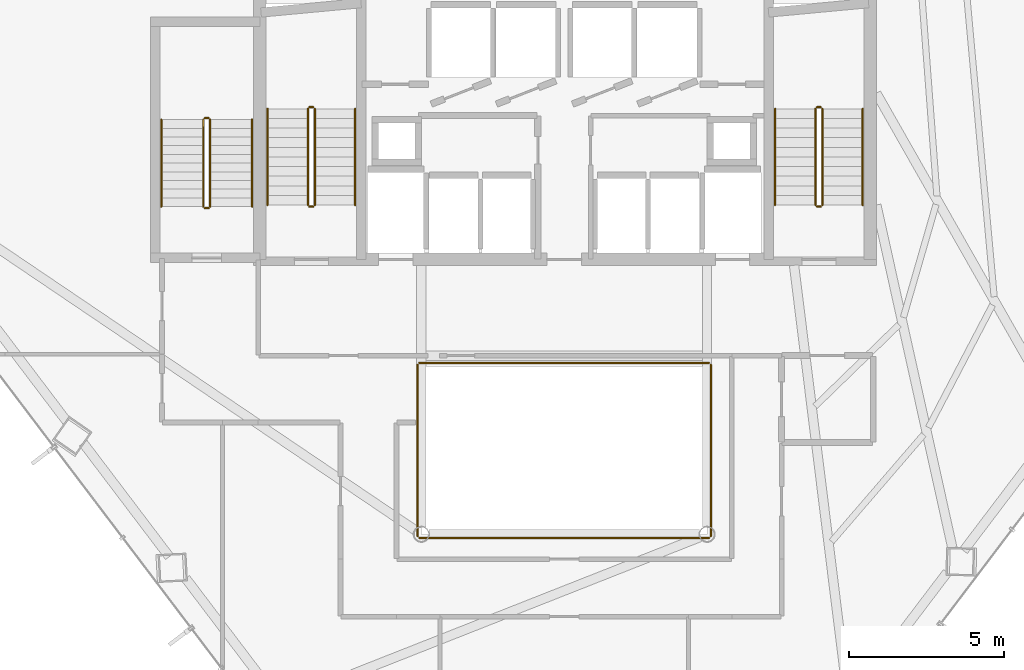
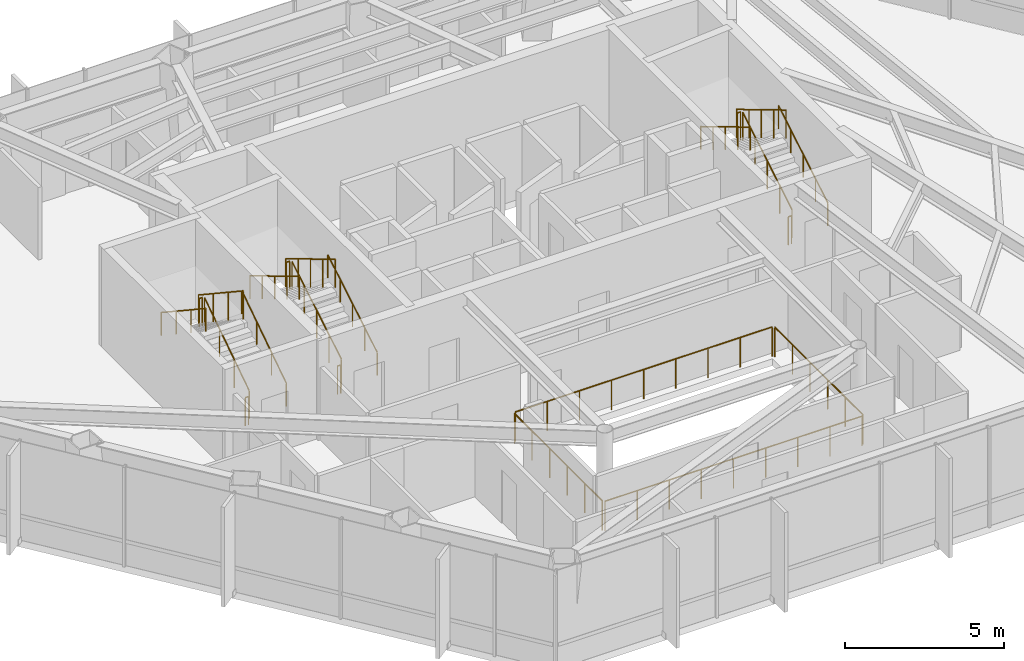
# One storey, part 26 of 26: 22 railings.
"""IFC4 building model written with IfcOpenShell, lengths in metres."""

from ifc_helpers import new_model, si_unit, direction, frame, origin, origin_2d, place, context, subcontext, project, spatial, circle, extrude, material, type_object, element, save


model = new_model("IFC4")

# Units and contexts
model_context = context("Model", 3, precision=1e-05, world=origin(), true_north=direction((0.0, 1.0)))
body_context = subcontext(model_context, "Body", "Model", "MODEL_VIEW")
ifc_project = project(units=[si_unit("LENGTHUNIT", "METRE"), si_unit("AREAUNIT", "SQUARE_METRE"), si_unit("VOLUMEUNIT", "CUBIC_METRE"), si_unit("PLANEANGLEUNIT", "RADIAN"), si_unit("MASSUNIT", "GRAM", prefix="KILO")], contexts=[model_context])

# Site, building, storey
site_placement = place(None, origin())
site = spatial("IfcSite", under=ifc_project, at=site_placement, CompositionType="ELEMENT")
building_placement = place(site_placement, origin())
building = spatial("IfcBuilding", under=site, at=building_placement, Name="Zarrinselat Tower", CompositionType="ELEMENT")
storey_placement = place(building_placement, frame((0.0, 0.0, 92.820068359375)))
storey = spatial("IfcBuildingStorey", under=building, at=storey_placement, Name="L22", CompositionType="ELEMENT", Elevation=92.820068359375)

# Railings
ifc_material_1 = material(Name="Double Low-E Laminated Solar Glass", Category="glass")
railing_type_1 = type_object("IfcRailingType", Name="RLG-ATRIUM-BAL", PredefinedType="BALUSTRADE", material=ifc_material_1)
railing_1_placement = place(storey_placement, frame((33.739990234375, 24.280029296875, 0.0)))
element("IfcRailing", 1, at=railing_1_placement, inside=storey, type_object=railing_type_1, Name="L22 Atrium Void Glass Balustrade S", PredefinedType="BALUSTRADE", context=body_context, shape_type="SweptSolid", body=[
    extrude(circle(Radius=0.02392578125, at=origin_2d()), frame((0.0, 0.0, 1.1259765625), z_axis=(1.0, 0.0, 0.0), x_axis=(0.0, 1.0, 0.0)), (0.0, 0.0, 1.0), 9.320068359375),
    extrude(circle(Radius=0.02099609375, at=origin_2d()), origin(), (0.0, 0.0, 1.0), 1.099853515625),
    extrude(circle(Radius=0.02099609375, at=origin_2d()), frame((1.1650390625, 0.0, 0.0)), (0.0, 0.0, 1.0), 1.099853515625),
    extrude(circle(Radius=0.02099609375, at=origin_2d()), frame((2.330078125, 0.0, 0.0)), (0.0, 0.0, 1.0), 1.099853515625),
    extrude(circle(Radius=0.02099609375, at=origin_2d()), frame((3.4951171875, 0.0, 0.0)), (0.0, 0.0, 1.0), 1.099853515625),
    extrude(circle(Radius=0.02099609375, at=origin_2d()), frame((4.66015625, 0.0, 0.0)), (0.0, 0.0, 1.0), 1.099853515625),
    extrude(circle(Radius=0.02099609375, at=origin_2d()), frame((5.824951171875, 0.0, 0.0)), (0.0, 0.0, 1.0), 1.099853515625),
    extrude(circle(Radius=0.02099609375, at=origin_2d()), frame((6.989990234375, 0.0, 0.0)), (0.0, 0.0, 1.0), 1.099853515625),
    extrude(circle(Radius=0.02099609375, at=origin_2d()), frame((8.155029296875, 0.0, 0.0)), (0.0, 0.0, 1.0), 1.099853515625),
    extrude(circle(Radius=0.02099609375, at=origin_2d()), frame((9.320068359375, 0.0, 0.0)), (0.0, 0.0, 1.0), 1.099853515625),
])
railing_2_placement = place(storey_placement, frame((43.1201171875, 24.340087890625, 0.0)))
element("IfcRailing", 2, at=railing_2_placement, inside=storey, type_object=railing_type_1, Name="L22 Atrium Void Glass Balustrade E", PredefinedType="BALUSTRADE", context=body_context, shape_type="SweptSolid", body=[
    extrude(circle(Radius=0.02392578125, at=origin_2d()), frame((0.0, 0.0, 1.1259765625), z_axis=(0.0, 1.0, 0.0), x_axis=(-1.0, 0.0, 0.0)), (0.0, 0.0, 1.0), 5.52001953125),
    extrude(circle(Radius=0.02099609375, at=origin_2d()), origin(), (0.0, 0.0, 1.0), 1.099853515625),
    extrude(circle(Radius=0.02099609375, at=origin_2d()), frame((0.0, 1.10400390625, 0.0)), (0.0, 0.0, 1.0), 1.099853515625),
    extrude(circle(Radius=0.02099609375, at=origin_2d()), frame((0.0, 2.2080078125, 0.0)), (0.0, 0.0, 1.0), 1.099853515625),
    extrude(circle(Radius=0.02099609375, at=origin_2d()), frame((0.0, 3.31201171875, 0.0)), (0.0, 0.0, 1.0), 1.099853515625),
    extrude(circle(Radius=0.02099609375, at=origin_2d()), frame((0.0, 4.416015625, 0.0)), (0.0, 0.0, 1.0), 1.099853515625),
    extrude(circle(Radius=0.02099609375, at=origin_2d()), frame((0.0, 5.52001953125, 0.0)), (0.0, 0.0, 1.0), 1.099853515625),
])
railing_3_placement = place(storey_placement, frame((43.06005859375, 29.919921875, 0.0)))
element("IfcRailing", 3, at=railing_3_placement, inside=storey, type_object=railing_type_1, Name="L22 Atrium Void Glass Balustrade N", PredefinedType="BALUSTRADE", context=body_context, shape_type="SweptSolid", body=[
    extrude(circle(Radius=0.02392578125, at=origin_2d()), frame((0.0, 0.0, 1.1259765625), z_axis=(-1.0, 0.0, 0.0), x_axis=(0.0, -1.0, 0.0)), (0.0, 0.0, 1.0), 9.320068359375),
    extrude(circle(Radius=0.02099609375, at=origin_2d()), origin(), (0.0, 0.0, 1.0), 1.099853515625),
    extrude(circle(Radius=0.02099609375, at=origin_2d()), frame((-1.1650390625, 0.0, 0.0)), (0.0, 0.0, 1.0), 1.099853515625),
    extrude(circle(Radius=0.02099609375, at=origin_2d()), frame((-2.330078125, 0.0, 0.0)), (0.0, 0.0, 1.0), 1.099853515625),
    extrude(circle(Radius=0.02099609375, at=origin_2d()), frame((-3.4951171875, 0.0, 0.0)), (0.0, 0.0, 1.0), 1.099853515625),
    extrude(circle(Radius=0.02099609375, at=origin_2d()), frame((-4.66015625, 0.0, 0.0)), (0.0, 0.0, 1.0), 1.099853515625),
    extrude(circle(Radius=0.02099609375, at=origin_2d()), frame((-5.824951171875, 0.0, 0.0)), (0.0, 0.0, 1.0), 1.099853515625),
    extrude(circle(Radius=0.02099609375, at=origin_2d()), frame((-6.989990234375, 0.0, 0.0)), (0.0, 0.0, 1.0), 1.099853515625),
    extrude(circle(Radius=0.02099609375, at=origin_2d()), frame((-8.155029296875, 0.0, 0.0)), (0.0, 0.0, 1.0), 1.099853515625),
    extrude(circle(Radius=0.02099609375, at=origin_2d()), frame((-9.320068359375, 0.0, 0.0)), (0.0, 0.0, 1.0), 1.099853515625),
])
railing_4_placement = place(storey_placement, frame((33.679931640625, 29.860107421875, 0.0)))
element("IfcRailing", 4, at=railing_4_placement, inside=storey, type_object=railing_type_1, Name="L22 Atrium Void Glass Balustrade W", PredefinedType="BALUSTRADE", context=body_context, shape_type="SweptSolid", body=[
    extrude(circle(Radius=0.02392578125, at=origin_2d()), frame((0.0, 0.0, 1.1259765625), z_axis=(0.0, -1.0, 0.0), x_axis=(1.0, 0.0, 0.0)), (0.0, 0.0, 1.0), 5.52001953125),
    extrude(circle(Radius=0.02099609375, at=origin_2d()), origin(), (0.0, 0.0, 1.0), 1.099853515625),
    extrude(circle(Radius=0.02099609375, at=origin_2d()), frame((0.0, -1.10400390625, 0.0)), (0.0, 0.0, 1.0), 1.099853515625),
    extrude(circle(Radius=0.02099609375, at=origin_2d()), frame((0.0, -2.2080078125, 0.0)), (0.0, 0.0, 1.0), 1.099853515625),
    extrude(circle(Radius=0.02099609375, at=origin_2d()), frame((0.0, -3.31201171875, 0.0)), (0.0, 0.0, 1.0), 1.099853515625),
    extrude(circle(Radius=0.02099609375, at=origin_2d()), frame((0.0, -4.416015625, 0.0)), (0.0, 0.0, 1.0), 1.099853515625),
    extrude(circle(Radius=0.02099609375, at=origin_2d()), frame((0.0, -5.52001953125, 0.0)), (0.0, 0.0, 1.0), 1.099853515625),
])
ifc_material_2 = material(Name="Steel S355J2", Category="steel")
railing_type_2 = type_object("IfcRailingType", Name="RLG-STAIR-GUARD", PredefinedType="GUARDRAIL", material=ifc_material_2)
railing_5_placement = place(storey_placement, frame((30.3701171875, 35.0, 0.185302734375)))
element("IfcRailing", 5, at=railing_5_placement, inside=storey, type_object=railing_type_2, Name="L22 ST-1 stair guard 1", PredefinedType="GUARDRAIL", context=body_context, shape_type="SweptSolid", body=[
    extrude(circle(Radius=0.02392578125, at=origin_2d()), frame((0.0, 0.0, 1.076171875), z_axis=(0.0, 0.858142210651, 0.513412062869), x_axis=(-1.0, 0.0, 0.0)), (0.0, 0.0, 1.0), 3.612548828125),
    extrude(circle(Radius=0.02099609375, at=origin_2d()), origin(), (0.0, 0.0, 1.0), 1.050048828125),
    extrude(circle(Radius=0.02099609375, at=origin_2d()), frame((0.0, 0.77490234375, 0.463623046875)), (0.0, 0.0, 1.0), 1.050048828125),
    extrude(circle(Radius=0.02099609375, at=origin_2d()), frame((0.0, 1.550048828125, 0.92724609375)), (0.0, 0.0, 1.0), 1.050048828125),
    extrude(circle(Radius=0.02099609375, at=origin_2d()), frame((0.0, 2.3251953125, 1.39111328125)), (0.0, 0.0, 1.0), 1.050048828125),
    extrude(circle(Radius=0.02099609375, at=origin_2d()), frame((0.0, 3.10009765625, 1.854736328125)), (0.0, 0.0, 1.0), 1.050048828125),
])
railing_6_placement = place(storey_placement, frame((30.320068359375, 38.14990234375, 2.0400390625)))
element("IfcRailing", 6, at=railing_6_placement, inside=storey, type_object=railing_type_2, Name="L22 ST-1 stair guard 2", PredefinedType="GUARDRAIL", context=body_context, shape_type="SweptSolid", body=[
    extrude(circle(Radius=0.02392578125, at=origin_2d()), frame((0.0, 0.0, 1.076171875), z_axis=(-1.0, 0.0, 0.0), x_axis=(0.0, -1.0, 0.0)), (0.0, 0.0, 1.0), 0.1201171875),
    extrude(circle(Radius=0.02099609375, at=origin_2d()), origin(), (0.0, 0.0, 1.0), 1.050048828125),
    extrude(circle(Radius=0.02099609375, at=origin_2d()), frame((-0.1201171875, 0.0, 0.0)), (0.0, 0.0, 1.0), 1.050048828125),
])
railing_7_placement = place(storey_placement, frame((30.14990234375, 38.10009765625, 2.225341796875)))
element("IfcRailing", 7, at=railing_7_placement, inside=storey, type_object=railing_type_2, Name="L22 ST-1 stair guard 3", PredefinedType="GUARDRAIL", context=body_context, shape_type="SweptSolid", body=[
    extrude(circle(Radius=0.02392578125, at=origin_2d()), frame((0.0, 0.0, 1.076171875), z_axis=(0.0, -0.858171985069, 0.513362293163), x_axis=(1.0, 0.0, 0.0)), (0.0, 0.0, 1.0), 3.612548828125),
    extrude(circle(Radius=0.02099609375, at=origin_2d()), origin(), (0.0, 0.0, 1.0), 1.050048828125),
    extrude(circle(Radius=0.02099609375, at=origin_2d()), frame((0.0, -0.77490234375, 0.463623046875)), (0.0, 0.0, 1.0), 1.050048828125),
    extrude(circle(Radius=0.02099609375, at=origin_2d()), frame((0.0, -1.550048828125, 0.92724609375)), (0.0, 0.0, 1.0), 1.050048828125),
    extrude(circle(Radius=0.02099609375, at=origin_2d()), frame((0.0, -2.3251953125, 1.390869140625)), (0.0, 0.0, 1.0), 1.050048828125),
    extrude(circle(Radius=0.02099609375, at=origin_2d()), frame((0.0, -3.10009765625, 1.8544921875)), (0.0, 0.0, 1.0), 1.050048828125),
])
railing_8_placement = place(storey_placement, frame((30.320068359375, 34.949951171875, 0.0)))
element("IfcRailing", 8, at=railing_8_placement, inside=storey, type_object=railing_type_2, Name="L22 ST-1 stair guard 4", PredefinedType="GUARDRAIL", context=body_context, shape_type="SweptSolid", body=[
    extrude(circle(Radius=0.02392578125, at=origin_2d()), frame((0.0, 0.0, 1.076171875), z_axis=(-1.0, 0.0, 0.0), x_axis=(0.0, -1.0, 0.0)), (0.0, 0.0, 1.0), 0.1201171875),
    extrude(circle(Radius=0.02099609375, at=origin_2d()), origin(), (0.0, 0.0, 1.0), 1.050048828125),
    extrude(circle(Radius=0.02099609375, at=origin_2d()), frame((-0.1201171875, 0.0, 0.0)), (0.0, 0.0, 1.0), 1.050048828125),
])
railing_9_placement = place(storey_placement, frame((46.7099609375, 35.0, 0.185302734375)))
element("IfcRailing", 9, at=railing_9_placement, inside=storey, type_object=railing_type_2, Name="L22 ST-2 stair guard 1", PredefinedType="GUARDRAIL", context=body_context, shape_type="SweptSolid", body=[
    extrude(circle(Radius=0.02392578125, at=origin_2d()), frame((0.0, 0.0, 1.076171875), z_axis=(0.0, 0.858142210651, 0.513412062869), x_axis=(-1.0, 0.0, 0.0)), (0.0, 0.0, 1.0), 3.612548828125),
    extrude(circle(Radius=0.02099609375, at=origin_2d()), origin(), (0.0, 0.0, 1.0), 1.050048828125),
    extrude(circle(Radius=0.02099609375, at=origin_2d()), frame((0.0, 0.77490234375, 0.463623046875)), (0.0, 0.0, 1.0), 1.050048828125),
    extrude(circle(Radius=0.02099609375, at=origin_2d()), frame((0.0, 1.550048828125, 0.92724609375)), (0.0, 0.0, 1.0), 1.050048828125),
    extrude(circle(Radius=0.02099609375, at=origin_2d()), frame((0.0, 2.3251953125, 1.39111328125)), (0.0, 0.0, 1.0), 1.050048828125),
    extrude(circle(Radius=0.02099609375, at=origin_2d()), frame((0.0, 3.10009765625, 1.854736328125)), (0.0, 0.0, 1.0), 1.050048828125),
])
railing_10_placement = place(storey_placement, frame((46.659912109375, 38.14990234375, 2.0400390625)))
element("IfcRailing", 10, at=railing_10_placement, inside=storey, type_object=railing_type_2, Name="L22 ST-2 stair guard 2", PredefinedType="GUARDRAIL", context=body_context, shape_type="SweptSolid", body=[
    extrude(circle(Radius=0.02392578125, at=origin_2d()), frame((0.0, 0.0, 1.076171875), z_axis=(-1.0, 0.0, 0.0), x_axis=(0.0, -1.0, 0.0)), (0.0, 0.0, 1.0), 0.119873046875),
    extrude(circle(Radius=0.02099609375, at=origin_2d()), origin(), (0.0, 0.0, 1.0), 1.050048828125),
    extrude(circle(Radius=0.02099609375, at=origin_2d()), frame((-0.119873046875, 0.0, 0.0)), (0.0, 0.0, 1.0), 1.050048828125),
])
railing_11_placement = place(storey_placement, frame((46.489990234375, 38.10009765625, 2.225341796875)))
element("IfcRailing", 11, at=railing_11_placement, inside=storey, type_object=railing_type_2, Name="L22 ST-2 stair guard 3", PredefinedType="GUARDRAIL", context=body_context, shape_type="SweptSolid", body=[
    extrude(circle(Radius=0.02392578125, at=origin_2d()), frame((0.0, 0.0, 1.076171875), z_axis=(0.0, -0.858171985069, 0.513362293163), x_axis=(1.0, 0.0, 0.0)), (0.0, 0.0, 1.0), 3.612548828125),
    extrude(circle(Radius=0.02099609375, at=origin_2d()), origin(), (0.0, 0.0, 1.0), 1.050048828125),
    extrude(circle(Radius=0.02099609375, at=origin_2d()), frame((0.0, -0.77490234375, 0.463623046875)), (0.0, 0.0, 1.0), 1.050048828125),
    extrude(circle(Radius=0.02099609375, at=origin_2d()), frame((0.0, -1.550048828125, 0.92724609375)), (0.0, 0.0, 1.0), 1.050048828125),
    extrude(circle(Radius=0.02099609375, at=origin_2d()), frame((0.0, -2.3251953125, 1.390869140625)), (0.0, 0.0, 1.0), 1.050048828125),
    extrude(circle(Radius=0.02099609375, at=origin_2d()), frame((0.0, -3.10009765625, 1.8544921875)), (0.0, 0.0, 1.0), 1.050048828125),
])
railing_12_placement = place(storey_placement, frame((46.659912109375, 34.949951171875, 0.0)))
element("IfcRailing", 12, at=railing_12_placement, inside=storey, type_object=railing_type_2, Name="L22 ST-2 stair guard 4", PredefinedType="GUARDRAIL", context=body_context, shape_type="SweptSolid", body=[
    extrude(circle(Radius=0.02392578125, at=origin_2d()), frame((0.0, 0.0, 1.076171875), z_axis=(-1.0, 0.0, 0.0), x_axis=(0.0, -1.0, 0.0)), (0.0, 0.0, 1.0), 0.119873046875),
    extrude(circle(Radius=0.02099609375, at=origin_2d()), origin(), (0.0, 0.0, 1.0), 1.050048828125),
    extrude(circle(Radius=0.02099609375, at=origin_2d()), frame((-0.119873046875, 0.0, 0.0)), (0.0, 0.0, 1.0), 1.050048828125),
])
railing_13_placement = place(storey_placement, frame((27.0, 34.949951171875, 0.185302734375)))
element("IfcRailing", 13, at=railing_13_placement, inside=storey, type_object=railing_type_2, Name="L22 ST-3 stair guard 1", PredefinedType="GUARDRAIL", context=body_context, shape_type="SweptSolid", body=[
    extrude(circle(Radius=0.02392578125, at=origin_2d()), frame((0.0, 0.0, 1.076171875), z_axis=(0.0, 0.833690570297, 0.55223186525), x_axis=(-1.0, 0.0, 0.0)), (0.0, 0.0, 1.0), 3.358642578125),
    extrude(circle(Radius=0.02099609375, at=origin_2d()), origin(), (0.0, 0.0, 1.0), 1.050048828125),
    extrude(circle(Radius=0.02099609375, at=origin_2d()), frame((0.0, 0.933349609375, 0.6181640625)), (0.0, 0.0, 1.0), 1.050048828125),
    extrude(circle(Radius=0.02099609375, at=origin_2d()), frame((0.0, 1.86669921875, 1.236572265625)), (0.0, 0.0, 1.0), 1.050048828125),
    extrude(circle(Radius=0.02099609375, at=origin_2d()), frame((0.0, 2.800048828125, 1.854736328125)), (0.0, 0.0, 1.0), 1.050048828125),
])
railing_14_placement = place(storey_placement, frame((26.949951171875, 37.800048828125, 2.0400390625)))
element("IfcRailing", 14, at=railing_14_placement, inside=storey, type_object=railing_type_2, Name="L22 ST-3 stair guard 2", PredefinedType="GUARDRAIL", context=body_context, shape_type="SweptSolid", body=[
    extrude(circle(Radius=0.02392578125, at=origin_2d()), frame((0.0, 0.0, 1.076171875), z_axis=(-1.0, 0.0, 0.0), x_axis=(0.0, -1.0, 0.0)), (0.0, 0.0, 1.0), 0.119873046875),
    extrude(circle(Radius=0.02099609375, at=origin_2d()), origin(), (0.0, 0.0, 1.0), 1.050048828125),
    extrude(circle(Radius=0.02099609375, at=origin_2d()), frame((-0.119873046875, 0.0, 0.0)), (0.0, 0.0, 1.0), 1.050048828125),
])
railing_15_placement = place(storey_placement, frame((26.780029296875, 37.75, 2.225341796875)))
element("IfcRailing", 15, at=railing_15_placement, inside=storey, type_object=railing_type_2, Name="L22 ST-3 stair guard 3", PredefinedType="GUARDRAIL", context=body_context, shape_type="SweptSolid", body=[
    extrude(circle(Radius=0.02392578125, at=origin_2d()), frame((0.0, 0.0, 1.076171875), z_axis=(0.0, -0.833724036255, 0.552181339209), x_axis=(1.0, 0.0, 0.0)), (0.0, 0.0, 1.0), 3.3583984375),
    extrude(circle(Radius=0.02099609375, at=origin_2d()), origin(), (0.0, 0.0, 1.0), 1.050048828125),
    extrude(circle(Radius=0.02099609375, at=origin_2d()), frame((0.0, -0.933349609375, 0.6181640625)), (0.0, 0.0, 1.0), 1.050048828125),
    extrude(circle(Radius=0.02099609375, at=origin_2d()), frame((0.0, -1.86669921875, 1.236328125)), (0.0, 0.0, 1.0), 1.050048828125),
    extrude(circle(Radius=0.02099609375, at=origin_2d()), frame((0.0, -2.800048828125, 1.8544921875)), (0.0, 0.0, 1.0), 1.050048828125),
])
railing_16_placement = place(storey_placement, frame((26.949951171875, 34.89990234375, 0.0)))
element("IfcRailing", 16, at=railing_16_placement, inside=storey, type_object=railing_type_2, Name="L22 ST-3 stair guard 4", PredefinedType="GUARDRAIL", context=body_context, shape_type="SweptSolid", body=[
    extrude(circle(Radius=0.02392578125, at=origin_2d()), frame((0.0, 0.0, 1.076171875), z_axis=(-1.0, 0.0, 0.0), x_axis=(0.0, -1.0, 0.0)), (0.0, 0.0, 1.0), 0.119873046875),
    extrude(circle(Radius=0.02099609375, at=origin_2d()), origin(), (0.0, 0.0, 1.0), 1.050048828125),
    extrude(circle(Radius=0.02099609375, at=origin_2d()), frame((-0.119873046875, 0.0, 0.0)), (0.0, 0.0, 1.0), 1.050048828125),
])
ifc_material_3 = material(Name="Steel S355J2", Category="steel")
railing_type_3 = type_object("IfcRailingType", Name="RLG-STAIR-HAND", PredefinedType="HANDRAIL", material=ifc_material_3)
railing_17_placement = place(storey_placement, frame((31.669921875, 35.0, 0.185302734375)))
element("IfcRailing", 17, at=railing_17_placement, inside=storey, type_object=railing_type_3, Name="L22 ST-1 stair handrail 1", PredefinedType="HANDRAIL", context=body_context, shape_type="SweptSolid", body=[
    extrude(circle(Radius=0.02392578125, at=origin_2d()), frame((0.0, 0.0, 0.8759765625), z_axis=(0.0, 0.858142210651, 0.513412062869), x_axis=(-1.0, 0.0, 0.0)), (0.0, 0.0, 1.0), 3.612548828125),
    extrude(circle(Radius=0.02099609375, at=origin_2d()), origin(), (0.0, 0.0, 1.0), 0.849853515625),
    extrude(circle(Radius=0.02099609375, at=origin_2d()), frame((0.0, 0.77490234375, 0.463623046875)), (0.0, 0.0, 1.0), 0.849853515625),
    extrude(circle(Radius=0.02099609375, at=origin_2d()), frame((0.0, 1.550048828125, 0.92724609375)), (0.0, 0.0, 1.0), 0.849853515625),
    extrude(circle(Radius=0.02099609375, at=origin_2d()), frame((0.0, 2.3251953125, 1.39111328125)), (0.0, 0.0, 1.0), 0.849853515625),
    extrude(circle(Radius=0.02099609375, at=origin_2d()), frame((0.0, 3.10009765625, 1.854736328125)), (0.0, 0.0, 1.0), 0.849853515625),
])
railing_18_placement = place(storey_placement, frame((28.85009765625, 38.10009765625, 2.225341796875)))
element("IfcRailing", 18, at=railing_18_placement, inside=storey, type_object=railing_type_3, Name="L22 ST-1 stair handrail 2", PredefinedType="HANDRAIL", context=body_context, shape_type="SweptSolid", body=[
    extrude(circle(Radius=0.02392578125, at=origin_2d()), frame((0.0, 0.0, 0.8759765625), z_axis=(0.0, -0.858171985069, 0.513362293163), x_axis=(1.0, 0.0, 0.0)), (0.0, 0.0, 1.0), 3.612548828125),
    extrude(circle(Radius=0.02099609375, at=origin_2d()), origin(), (0.0, 0.0, 1.0), 0.849853515625),
    extrude(circle(Radius=0.02099609375, at=origin_2d()), frame((0.0, -0.77490234375, 0.463623046875)), (0.0, 0.0, 1.0), 0.849853515625),
    extrude(circle(Radius=0.02099609375, at=origin_2d()), frame((0.0, -1.550048828125, 0.92724609375)), (0.0, 0.0, 1.0), 0.849853515625),
    extrude(circle(Radius=0.02099609375, at=origin_2d()), frame((0.0, -2.3251953125, 1.390869140625)), (0.0, 0.0, 1.0), 0.849853515625),
    extrude(circle(Radius=0.02099609375, at=origin_2d()), frame((0.0, -3.10009765625, 1.8544921875)), (0.0, 0.0, 1.0), 0.849853515625),
])
railing_19_placement = place(storey_placement, frame((48.010009765625, 35.0, 0.185302734375)))
element("IfcRailing", 19, at=railing_19_placement, inside=storey, type_object=railing_type_3, Name="L22 ST-2 stair handrail 1", PredefinedType="HANDRAIL", context=body_context, shape_type="SweptSolid", body=[
    extrude(circle(Radius=0.02392578125, at=origin_2d()), frame((0.0, 0.0, 0.8759765625), z_axis=(0.0, 0.858142210651, 0.513412062869), x_axis=(-1.0, 0.0, 0.0)), (0.0, 0.0, 1.0), 3.612548828125),
    extrude(circle(Radius=0.02099609375, at=origin_2d()), origin(), (0.0, 0.0, 1.0), 0.849853515625),
    extrude(circle(Radius=0.02099609375, at=origin_2d()), frame((0.0, 0.77490234375, 0.463623046875)), (0.0, 0.0, 1.0), 0.849853515625),
    extrude(circle(Radius=0.02099609375, at=origin_2d()), frame((0.0, 1.550048828125, 0.92724609375)), (0.0, 0.0, 1.0), 0.849853515625),
    extrude(circle(Radius=0.02099609375, at=origin_2d()), frame((0.0, 2.3251953125, 1.39111328125)), (0.0, 0.0, 1.0), 0.849853515625),
    extrude(circle(Radius=0.02099609375, at=origin_2d()), frame((0.0, 3.10009765625, 1.854736328125)), (0.0, 0.0, 1.0), 0.849853515625),
])
railing_20_placement = place(storey_placement, frame((45.18994140625, 38.10009765625, 2.225341796875)))
element("IfcRailing", 20, at=railing_20_placement, inside=storey, type_object=railing_type_3, Name="L22 ST-2 stair handrail 2", PredefinedType="HANDRAIL", context=body_context, shape_type="SweptSolid", body=[
    extrude(circle(Radius=0.02392578125, at=origin_2d()), frame((0.0, 0.0, 0.8759765625), z_axis=(0.0, -0.858171985069, 0.513362293163), x_axis=(1.0, 0.0, 0.0)), (0.0, 0.0, 1.0), 3.612548828125),
    extrude(circle(Radius=0.02099609375, at=origin_2d()), origin(), (0.0, 0.0, 1.0), 0.849853515625),
    extrude(circle(Radius=0.02099609375, at=origin_2d()), frame((0.0, -0.77490234375, 0.463623046875)), (0.0, 0.0, 1.0), 0.849853515625),
    extrude(circle(Radius=0.02099609375, at=origin_2d()), frame((0.0, -1.550048828125, 0.92724609375)), (0.0, 0.0, 1.0), 0.849853515625),
    extrude(circle(Radius=0.02099609375, at=origin_2d()), frame((0.0, -2.3251953125, 1.390869140625)), (0.0, 0.0, 1.0), 0.849853515625),
    extrude(circle(Radius=0.02099609375, at=origin_2d()), frame((0.0, -3.10009765625, 1.8544921875)), (0.0, 0.0, 1.0), 0.849853515625),
])
railing_21_placement = place(storey_placement, frame((28.35009765625, 34.949951171875, 0.185302734375)))
element("IfcRailing", 21, at=railing_21_placement, inside=storey, type_object=railing_type_3, Name="L22 ST-3 stair handrail 1", PredefinedType="HANDRAIL", context=body_context, shape_type="SweptSolid", body=[
    extrude(circle(Radius=0.02392578125, at=origin_2d()), frame((0.0, 0.0, 0.8759765625), z_axis=(0.0, 0.833690570297, 0.55223186525), x_axis=(-1.0, 0.0, 0.0)), (0.0, 0.0, 1.0), 3.358642578125),
    extrude(circle(Radius=0.02099609375, at=origin_2d()), origin(), (0.0, 0.0, 1.0), 0.849853515625),
    extrude(circle(Radius=0.02099609375, at=origin_2d()), frame((0.0, 0.933349609375, 0.6181640625)), (0.0, 0.0, 1.0), 0.849853515625),
    extrude(circle(Radius=0.02099609375, at=origin_2d()), frame((0.0, 1.86669921875, 1.236572265625)), (0.0, 0.0, 1.0), 0.849853515625),
    extrude(circle(Radius=0.02099609375, at=origin_2d()), frame((0.0, 2.800048828125, 1.854736328125)), (0.0, 0.0, 1.0), 0.849853515625),
])
railing_22_placement = place(storey_placement, frame((25.429931640625, 37.75, 2.225341796875)))
element("IfcRailing", 22, at=railing_22_placement, inside=storey, type_object=railing_type_3, Name="L22 ST-3 stair handrail 2", PredefinedType="HANDRAIL", context=body_context, shape_type="SweptSolid", body=[
    extrude(circle(Radius=0.02392578125, at=origin_2d()), frame((0.0, 0.0, 0.8759765625), z_axis=(0.0, -0.833724036255, 0.552181339209), x_axis=(1.0, 0.0, 0.0)), (0.0, 0.0, 1.0), 3.3583984375),
    extrude(circle(Radius=0.02099609375, at=origin_2d()), origin(), (0.0, 0.0, 1.0), 0.849853515625),
    extrude(circle(Radius=0.02099609375, at=origin_2d()), frame((0.0, -0.933349609375, 0.6181640625)), (0.0, 0.0, 1.0), 0.849853515625),
    extrude(circle(Radius=0.02099609375, at=origin_2d()), frame((0.0, -1.86669921875, 1.236328125)), (0.0, 0.0, 1.0), 0.849853515625),
    extrude(circle(Radius=0.02099609375, at=origin_2d()), frame((0.0, -2.800048828125, 1.8544921875)), (0.0, 0.0, 1.0), 0.849853515625),
])

save(model, "model.ifc")
